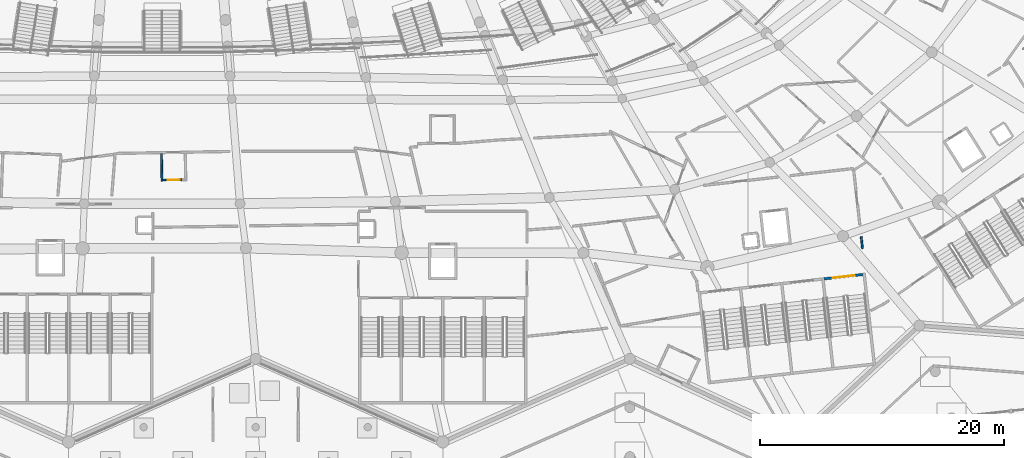
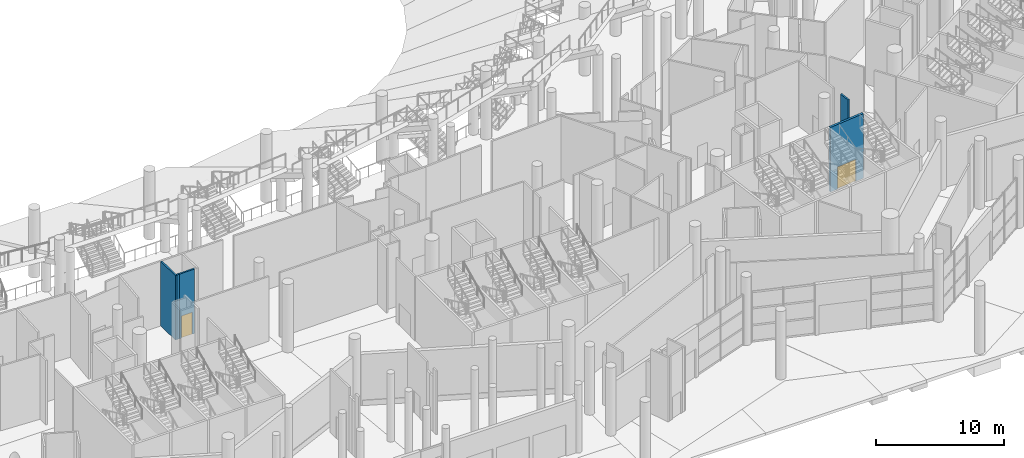
# One storey, part 120 of 255: 5 walls, 2 doors, 2 openings.
"""IFC4 building model written with IfcOpenShell, lengths in metres."""

from ifc_helpers import new_model, si_unit, direction, frame, frame_2d, origin, place, context, subcontext, project, spatial, rectangle, extrude, material, layer, layer_set, type_object, element, fill, save


model = new_model("IFC4")

# Units and contexts
model_context = context("Model", 3, precision=1e-05, world=origin(), true_north=direction((0.0, 1.0)))
body_context = subcontext(model_context, "Body", "Model", "MODEL_VIEW")
ifc_project = project(units=[si_unit("LENGTHUNIT", "METRE"), si_unit("AREAUNIT", "SQUARE_METRE"), si_unit("VOLUMEUNIT", "CUBIC_METRE"), si_unit("PLANEANGLEUNIT", "RADIAN"), si_unit("MASSUNIT", "GRAM", prefix="KILO")], contexts=[model_context])

# Site, building, storey
site_placement = place(None, origin())
site = spatial("IfcSite", under=ifc_project, at=site_placement, CompositionType="ELEMENT")
building_placement = place(site_placement, origin())
building = spatial("IfcBuilding", under=site, at=building_placement, Name="Meseta Stadium", CompositionType="ELEMENT")
storey_placement = place(building_placement, origin())
storey = spatial("IfcBuildingStorey", under=building, at=storey_placement, Name="L00", CompositionType="ELEMENT", Elevation=0.0)

# Wall, opening, door
ifc_material_1 = material(Name="Concrete C40/50", Category="concrete")
ifc_layer_1 = layer(ifc_material_1, 0.199951171875)
ifc_layer_set_1 = layer_set([ifc_layer_1], Name="Core shaft wall 200")
wall_type_1 = type_object("IfcWallType", Name="Core shaft wall 200", PredefinedType="SHEAR", material=ifc_layer_set_1)
wall_1_placement = place(storey_placement, frame((54.2587890625, -92.03955078125, 0.0), z_axis=(0.0, 0.0, 1.0), x_axis=(0.993717005286, 0.11192190762, 0.0)))
wall_1 = element("IfcWall", 1, at=wall_1_placement, inside=storey, type_object=wall_type_1, Name="Core 26 L00 stair B2 inner end wall", PredefinedType="SHEAR", context=body_context, shape_type="SweptSolid", body=[
    extrude(rectangle(XDim=3.199951171875, YDim=0.199951171875, at=frame_2d((1.60009765625, 0.0))), origin(), (0.0, 0.0, 1.0), 6.14990234375),
])
opening_1_placement = place(wall_1_placement, frame((0.699951171875, 0.0, 0.0)))
opening_1 = element("IfcOpeningElement", 2, at=opening_1_placement, cuts=wall_1, Name="Opening D348", PredefinedType="OPENING", context=body_context, shape_type="SweptSolid", body=[
    extrude(rectangle(XDim=1.800048828125, YDim=2.10009765625, at=frame_2d((0.89990234375, 1.050048828125))), frame((0.0, 0.10986328125, 0.0), z_axis=(0.0, -1.0, 0.0), x_axis=(1.0, 0.0, 0.0)), (0.0, 0.0, 1.0), 0.219970703125),
])
ifc_material_2 = material(Name="Steel", Category="steel")
door_type_1 = type_object("IfcDoorType", Name="Stair door 1800x2100", OperationType="DOUBLE_DOOR_SINGLE_SWING", PredefinedType="DOOR", material=ifc_material_2)
door_1_placement = place(opening_1_placement, origin())
door_1 = element("IfcDoor", 3, at=door_1_placement, inside=storey, type_object=door_type_1, Name="Stair B2 door 26 L00", OperationType="DOUBLE_DOOR_SINGLE_SWING", OverallHeight=2.10009765625, OverallWidth=1.800048828125, PredefinedType="DOOR", context=body_context, shape_type="SweptSolid", body=[
    extrude(rectangle(XDim=1.800048828125, YDim=2.10009765625, at=frame_2d((0.89990234375, 1.050048828125))), frame((0.0, 0.02490234375, 0.0), z_axis=(0.0, -1.0, 0.0), x_axis=(1.0, 0.0, 0.0)), (0.0, 0.0, 1.0), 0.050048828125),
])
fill(opening_1, door_1)

# Walls
ifc_material_3 = material(Name="Masonry blockwork", Category="masonry")
ifc_layer_2 = layer(ifc_material_3, 0.14990234375)
ifc_layer_set_2 = layer_set([ifc_layer_2], Name="Partition 150")
wall_type_2 = type_object("IfcWallType", Name="Partition 150", PredefinedType="PARTITIONING", material=ifc_layer_set_2)
wall_2_placement = place(storey_placement, frame((57.400634765625, -89.557373046875, 0.0), z_axis=(0.0, 0.0, 1.0), x_axis=(-0.111977847894, 0.993710703163, 0.0)))
element("IfcWall", 4, at=wall_2_placement, inside=storey, type_object=wall_type_2, Name="Partition L00 L00-cell25-2-0", PredefinedType="PARTITIONING", context=body_context, shape_type="SweptSolid", body=[
    extrude(rectangle(XDim=0.987548828125, YDim=0.14990234375, at=frame_2d((0.49365234375, 0.0))), origin(), (0.0, 0.0, 1.0), 6.14990234375),
])
wall_3_placement = place(storey_placement, frame((-0.052734375, -81.7724609375, 0.0), z_axis=(0.0, 0.0, 1.0), x_axis=(0.017577316564, -0.999845507037, 0.0)))
element("IfcWall", 5, at=wall_3_placement, inside=storey, type_object=wall_type_2, Name="Partition L00 L00-cell23-1-0 vestibule", PredefinedType="PARTITIONING", context=body_context, shape_type="SweptSolid", body=[
    extrude(rectangle(XDim=2.25, YDim=0.14990234375, at=frame_2d((1.125, 0.0))), origin(), (0.0, 0.0, 1.0), 6.14990234375),
])
wall_4_placement = place(storey_placement, frame((0.060546875, -83.94580078125, 0.0), z_axis=(0.0, 0.0, 1.0), x_axis=(0.999853929301, 0.017091520159, 0.0)))
element("IfcWall", 6, at=wall_4_placement, inside=storey, type_object=wall_type_2, Name="Partition L00 L00-cell23-1-0 vestibule", PredefinedType="PARTITIONING", context=body_context, shape_type="SweptSolid", body=[
    extrude(rectangle(XDim=0.199951171875, YDim=0.14990234375, at=frame_2d((0.10009765625, 0.0))), origin(), (0.0, 0.0, 1.0), 6.14990234375),
])

# Wall, opening, door
wall_5_placement = place(storey_placement, frame((0.260498046875, -83.9423828125, 0.0), z_axis=(0.0, 0.0, 1.0), x_axis=(0.999841819874, 0.017785815422, 0.0)))
wall_5 = element("IfcWall", 7, at=wall_5_placement, inside=storey, type_object=wall_type_2, Name="Partition L00 L00-cell23-1-0 vestibule", PredefinedType="PARTITIONING", context=body_context, shape_type="SweptSolid", body=[
    extrude(rectangle(XDim=1.400146484375, YDim=0.14990234375, at=frame_2d((0.7001953125, 0.0))), origin(), (0.0, 0.0, 1.0), 6.14990234375),
])
opening_2_placement = place(wall_5_placement, frame((0.199951171875, 0.0, 0.0)))
opening_2 = element("IfcOpeningElement", 8, at=opening_2_placement, cuts=wall_5, Name="Opening D862", PredefinedType="OPENING", context=body_context, shape_type="SweptSolid", body=[
    extrude(rectangle(XDim=1.0, YDim=2.10009765625, at=frame_2d((0.5, 1.050048828125))), frame((0.0, 0.0849609375, 0.0), z_axis=(0.0, -1.0, 0.0), x_axis=(1.0, 0.0, 0.0)), (0.0, 0.0, 1.0), 0.169921875),
])
ifc_material_4 = material(Name="Steel", Category="steel")
door_type_2 = type_object("IfcDoorType", Name="Fire door 1000x2100 EI2 60", OperationType="NOTDEFINED", PredefinedType="DOOR", material=ifc_material_4)
door_2_placement = place(opening_2_placement, origin())
door_2 = element("IfcDoor", 9, at=door_2_placement, inside=storey, type_object=door_type_2, Name="Vestibule door L00 L00-cell23-1-0", OperationType="SINGLE_SWING_RIGHT", OverallHeight=2.10009765625, OverallWidth=1.0, PredefinedType="DOOR", context=body_context, shape_type="SweptSolid", body=[
    extrude(rectangle(XDim=1.0, YDim=2.10009765625, at=frame_2d((0.5, 1.050048828125))), frame((0.0, 0.02490234375, 0.0), z_axis=(0.0, -1.0, 0.0), x_axis=(1.0, 0.0, 0.0)), (0.0, 0.0, 1.0), 0.050048828125),
])
fill(opening_2, door_2)

save(model, "model.ifc")
